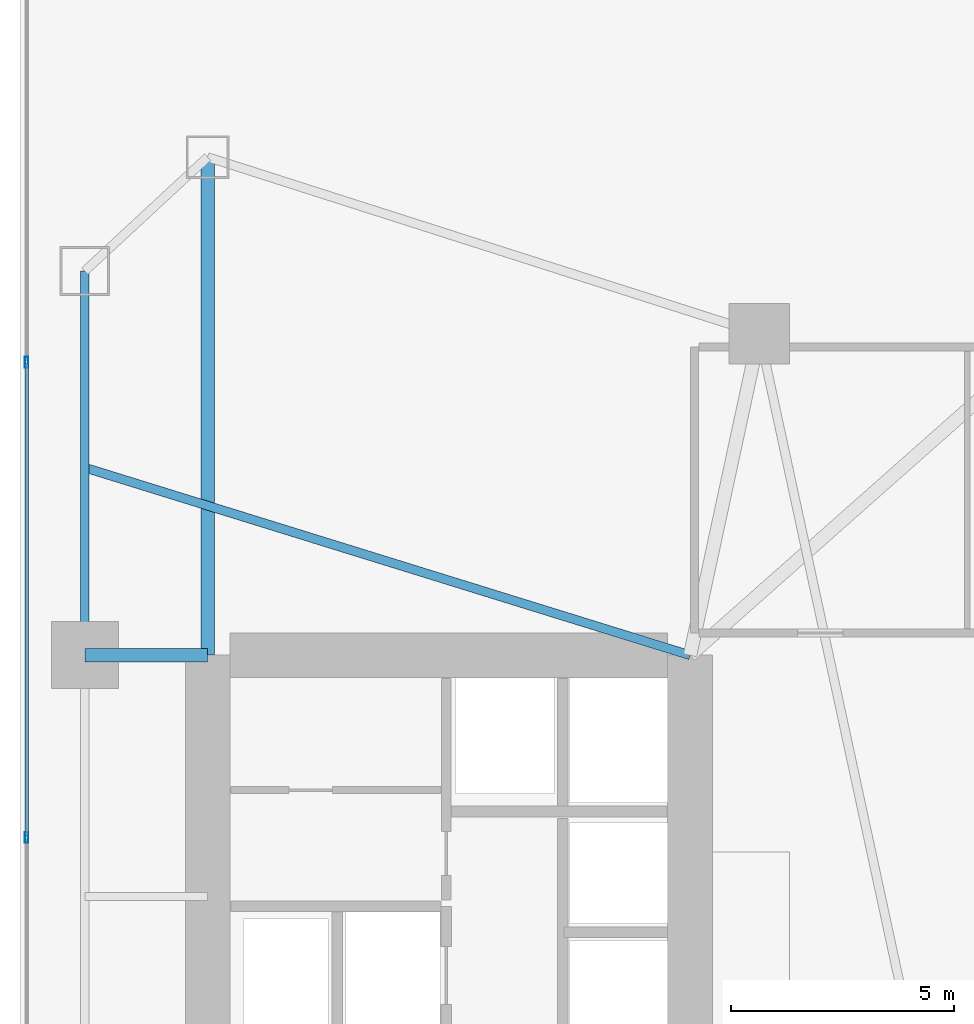
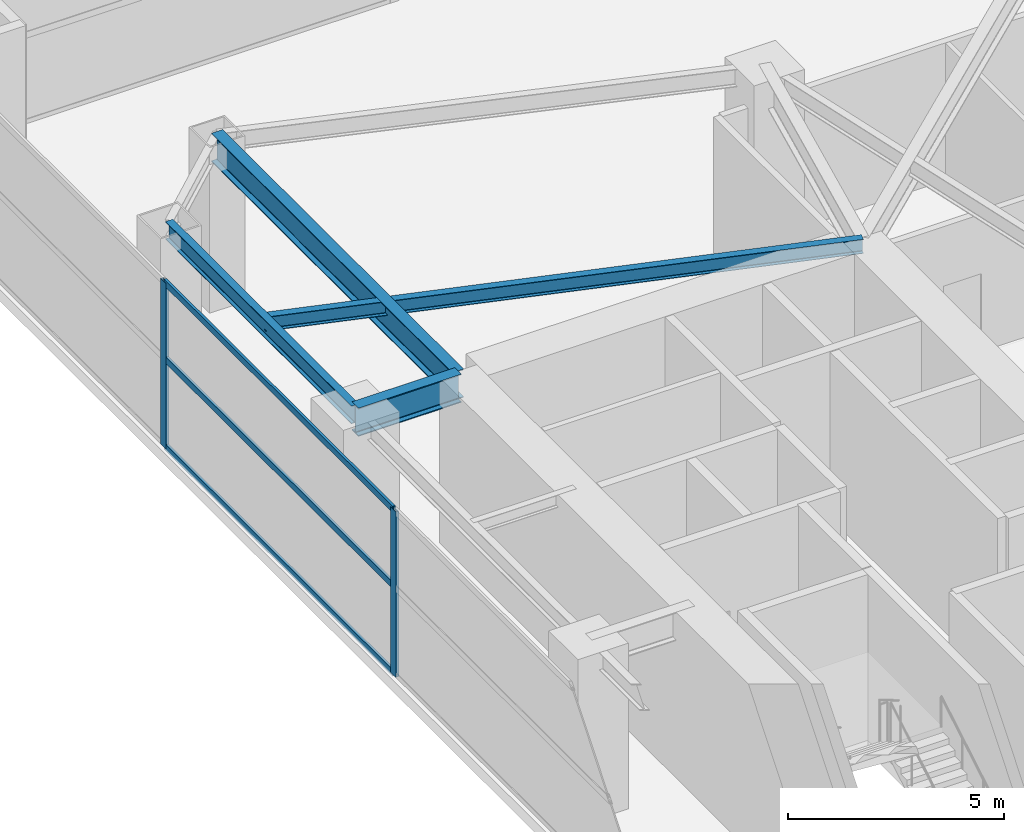
# One storey, part 14 of 35: 5 members, 4 beams, 1 element without a shape of its own.
"""IFC4 building model written with IfcOpenShell, lengths in metres."""

import ifcopenshell
import ifcopenshell.guid

model = None  # the IFC model being written
_history = None  # IfcOwnerHistory: only IFC2X3 demands one
_inside = {}  # id of a spatial element -> (the spatial element, [elements in it])
_under = {}  # id of a project, library or spatial element -> (it, [spatial elements below it])
_declared = {}  # id of a project -> (the project, [libraries it declares])
_typed = {}  # id of a type object -> (the type object, [elements of that type])
_made_of = {}  # id of a material, layer set ... -> (it, [elements and type objects made of it])


def new_model(schema):
    """Start an empty IFC model of exactly this schema.

    Asked for "IFC4X3", IfcOpenShell would pick the latest addendum, in which some entities
    have other attributes; the version numbers below select the first issue.
    IFC2X3 requires an IfcOwnerHistory on every rooted entity: one is made here for all.
    """
    global model, _history
    if schema == "IFC4X3":
        model = ifcopenshell.file(schema_version=(4, 3, 0, 0))
    else:
        model = ifcopenshell.file(schema=schema)
    _inside.clear()
    _under.clear()
    _declared.clear()
    _typed.clear()
    _made_of.clear()
    _history = None
    if model.schema == "IFC2X3":
        org = make("IfcOrganization", Name="unknown")
        user = make(
            "IfcPersonAndOrganization",
            ThePerson=make("IfcPerson", FamilyName="unknown"),
            TheOrganization=org,
        )
        app = make(
            "IfcApplication",
            ApplicationDeveloper=org,
            Version="unknown",
            ApplicationFullName="unknown",
            ApplicationIdentifier="unknown",
        )
        _history = make(
            "IfcOwnerHistory",
            OwningUser=user,
            OwningApplication=app,
            ChangeAction="ADDED",
            CreationDate=0,
        )
    return model


def make(cls, **values):
    """One entity of the class cls with the attributes given. An attribute that is None is left unset."""
    return model.create_entity(
        cls, **{name: value for name, value in values.items() if value is not None}
    )


def rooted(cls, **values):
    """An entity with a GlobalId (a new one), such as an element, a storey or a relation."""
    return make(cls, GlobalId=ifcopenshell.guid.new(), OwnerHistory=_history, **values)


def si_unit(unit_type, name, prefix=None):
    """IfcSIUnit, for example si_unit("LENGTHUNIT", "METRE", prefix="MILLI")."""
    return make("IfcSIUnit", UnitType=unit_type, Prefix=prefix, Name=name)


def assignment(units):
    """IfcUnitAssignment: the units of a project."""
    return None if units is None else make("IfcUnitAssignment", Units=units)


def point(xyz):
    """IfcCartesianPoint."""
    return None if xyz is None else make("IfcCartesianPoint", Coordinates=xyz)


def direction(xyz):
    """IfcDirection."""
    return None if xyz is None else make("IfcDirection", DirectionRatios=xyz)


def frame(location, z_axis=None, x_axis=None):
    """IfcAxis2Placement3D, a coordinate frame: its origin and axes. An axis left out is left unset."""
    return make(
        "IfcAxis2Placement3D",
        Location=point(location),
        Axis=direction(z_axis),
        RefDirection=direction(x_axis),
    )


def frame_2d(location, x_axis=None):
    """IfcAxis2Placement2D, a coordinate frame in the plane: its origin and x axis."""
    return make(
        "IfcAxis2Placement2D", Location=point(location), RefDirection=direction(x_axis)
    )


def origin():
    """The frame at (0, 0, 0) with its axes left unset."""
    return frame((0.0, 0.0, 0.0))


def origin_2d():
    """The frame at (0, 0) in the plane with its x axis left unset."""
    return frame_2d((0.0, 0.0))


def place(relative_to, where):
    """IfcLocalPlacement: puts the frame where relative to a parent placement (None: the world)."""
    return make(
        "IfcLocalPlacement", PlacementRelTo=relative_to, RelativePlacement=where
    )


def context(
    kind, dimensions, precision=None, world=None, true_north=None, identifier=None
):
    """IfcGeometricRepresentationContext, for example the 3D "Model" context."""
    return make(
        "IfcGeometricRepresentationContext",
        ContextIdentifier=identifier,
        ContextType=kind,
        CoordinateSpaceDimension=dimensions,
        Precision=precision,
        WorldCoordinateSystem=world,
        TrueNorth=true_north,
    )


def subcontext(parent, identifier, kind, view, scale=None):
    """IfcGeometricRepresentationSubContext, for example "Body" below "Model"."""
    return make(
        "IfcGeometricRepresentationSubContext",
        ContextIdentifier=identifier,
        ContextType=kind,
        ParentContext=parent,
        TargetScale=scale,
        TargetView=view,
    )


def project(units=None, contexts=None):
    """IfcProject with its units and contexts."""
    return rooted(
        "IfcProject",
        Name="project",
        RepresentationContexts=contexts,
        UnitsInContext=assignment(units),
    )


def spatial(cls, under=None, at=None, **own):
    """A site, building, storey or space (cls), placed at a placement, below another one or the project."""
    s = rooted(cls, ObjectPlacement=at, **own)
    if under is not None:
        _under.setdefault(under.id(), (under, []))[1].append(s)
    return s


def profile(cls, at=None, kind="AREA", **sizes):
    """A parametric profile (cls). Its sizes go by their IFC names, for example OverallWidth=200.0."""
    return make(cls, ProfileType=kind, Position=at, **sizes)


def hollow_rectangle(**sizes):
    """IfcRectangleHollowProfileDef."""
    return profile("IfcRectangleHollowProfileDef", **sizes)


def i_section(**sizes):
    """IfcIShapeProfileDef."""
    return profile("IfcIShapeProfileDef", **sizes)


def extrude(swept, where, along, depth):
    """IfcExtrudedAreaSolid: the profile swept, set in the frame where, extruded along a direction by depth."""
    return make(
        "IfcExtrudedAreaSolid",
        SweptArea=swept,
        Position=where,
        ExtrudedDirection=direction(along),
        Depth=depth,
    )


def shape(context_of_items, identifier, shape_type, items):
    """IfcShapeRepresentation: the items that make up one representation, for example the "Body"."""
    return make(
        "IfcShapeRepresentation",
        ContextOfItems=context_of_items,
        RepresentationIdentifier=identifier,
        RepresentationType=shape_type,
        Items=items,
    )


def material(Name=None, Category=None):
    """IfcMaterial."""
    return make("IfcMaterial", Name=Name, Category=Category)


def layer(
    of_material, thickness, ventilated=None, Name=None, Category=None, Priority=None
):
    """IfcMaterialLayer: one layer of a wall or slab, of a material (None: an air gap)."""
    return make(
        "IfcMaterialLayer",
        Material=of_material,
        LayerThickness=thickness,
        IsVentilated=ventilated,
        Name=Name,
        Category=Category,
        Priority=Priority,
    )


def layer_set(layers, Name=None):
    """IfcMaterialLayerSet."""
    return make("IfcMaterialLayerSet", MaterialLayers=layers, LayerSetName=Name)


def material_profile(
    of_material, cross_section, Name=None, Category=None, Priority=None
):
    """IfcMaterialProfile: a cross section and its material."""
    return make(
        "IfcMaterialProfile",
        Name=Name,
        Material=of_material,
        Profile=cross_section,
        Priority=Priority,
        Category=Category,
    )


def profile_set(profiles, Name=None, composite=None):
    """IfcMaterialProfileSet."""
    return make(
        "IfcMaterialProfileSet",
        Name=Name,
        MaterialProfiles=profiles,
        CompositeProfile=composite,
    )


def made_of(thing, what):
    """Note that an element or type object is made of a material, layer set ...; save() writes the relation."""
    if what is not None:
        _made_of.setdefault(what.id(), (what, []))[1].append(thing)
    return thing


def type_object(cls, material=None, **own):
    """A type object (cls), such as IfcWallType, which elements share."""
    return made_of(rooted(cls, **own), material)


def element(
    cls,
    number,
    at=None,
    inside=None,
    cuts=None,
    type_object=None,
    material=None,
    context=None,
    identifier="Body",
    shape_type=None,
    held_by="IfcProductDefinitionShape",
    body=None,
    shapes=None,
    **own,
):
    """One element of the class cls, such as IfcWall. Its Tag is "e" and its number.

    at: its placement. inside: the storey or other place that contains it. cuts: it is an
    opening in that element (IfcRelVoidsElement). A single representation is given by context,
    identifier, shape_type and body (its items); several are given by shapes. held_by: the class
    of the entity that holds the representations. save() writes the other relations.
    """
    e = rooted(cls, Tag="e%d" % number, ObjectPlacement=at, **own)
    if body is not None:
        shapes = [shape(context, identifier, shape_type, body)]
    if shapes is not None:
        e.Representation = make(held_by, Representations=shapes)
    if inside is not None:
        _inside.setdefault(inside.id(), (inside, []))[1].append(e)
    if cuts is not None:
        rooted(
            "IfcRelVoidsElement", RelatingBuildingElement=cuts, RelatedOpeningElement=e
        )
    if type_object is not None:
        _typed.setdefault(type_object.id(), (type_object, []))[1].append(e)
    return made_of(e, material)


def aggregate(whole, parts):
    """IfcRelAggregates: a whole, such as a stair, and the parts it consists of."""
    return rooted("IfcRelAggregates", RelatingObject=whole, RelatedObjects=parts)


def save(model, path):
    """Write the relations noted so far, then the file.

    IfcRelAggregates (storeys below a building ...), IfcRelContainedInSpatialStructure (elements
    in a storey), IfcRelDefinesByType, IfcRelAssociatesMaterial and IfcRelDeclares: one each for
    every whole, place, type object, material and project.
    """
    for whole, parts in _under.values():
        aggregate(whole, parts)
    for where, things in _inside.values():
        rooted(
            "IfcRelContainedInSpatialStructure",
            RelatedElements=things,
            RelatingStructure=where,
        )
    for kind, things in _typed.values():
        rooted("IfcRelDefinesByType", RelatedObjects=things, RelatingType=kind)
    for what, things in _made_of.values():
        rooted("IfcRelAssociatesMaterial", RelatedObjects=things, RelatingMaterial=what)
    for by, libraries in _declared.values():
        rooted("IfcRelDeclares", RelatingContext=by, RelatedDefinitions=libraries)
    model.write(path)


model = new_model("IFC4")

# Units and contexts
model_context = context("Model", 3, precision=1e-05, world=origin(), true_north=direction((0.0, 1.0)))
body_context = subcontext(model_context, "Body", "Model", "MODEL_VIEW")
ifc_project = project(units=[si_unit("LENGTHUNIT", "METRE"), si_unit("AREAUNIT", "SQUARE_METRE"), si_unit("VOLUMEUNIT", "CUBIC_METRE"), si_unit("PLANEANGLEUNIT", "RADIAN"), si_unit("MASSUNIT", "GRAM", prefix="KILO")], contexts=[model_context])

# Site, building, storey
site_placement = place(None, origin())
site = spatial("IfcSite", under=ifc_project, at=site_placement, CompositionType="ELEMENT")
building_placement = place(site_placement, origin())
building = spatial("IfcBuilding", under=site, at=building_placement, Name="Calvorn Quay Hotel", CompositionType="ELEMENT")
storey_placement = place(building_placement, frame((0.0, 0.0, 12.0)))
storey = spatial("IfcBuildingStorey", under=building, at=storey_placement, Name="L02", CompositionType="ELEMENT", Elevation=12.0)

# Beams
ifc_material_1 = material(Name="Steel Q390GJC", Category="steel")
ifc_material_profile_1 = material_profile(ifc_material_1, i_section(OverallWidth=0.300048828125, OverallDepth=0.800048828125, WebThickness=0.013916015625, FlangeThickness=0.02587890625, FilletRadius=0.02392578125, at=origin_2d()), Name="HN800x300x14x26")
ifc_profile_set_1 = profile_set([ifc_material_profile_1], Name="Steel Q390GJC")
beam_type_1 = type_object("IfcBeamType", Name="BM-GIRD-POD", PredefinedType="BEAM", material=ifc_profile_set_1)
beam_1_placement = place(storey_placement, frame((1.449951171875, 38.39990234375, 4.280029296875), z_axis=(1.0, 0.0, 0.0), x_axis=(0.0, 1.0, 0.0)))
element("IfcBeam", 1, at=beam_1_placement, inside=storey, type_object=beam_type_1, Name="Beam BG-L02-W3", PredefinedType="BEAM", context=body_context, shape_type="SweptSolid", body=[
    extrude(i_section(OverallWidth=0.300048828125, OverallDepth=0.800048828125, WebThickness=0.013916015625, FlangeThickness=0.02587890625, FilletRadius=0.02392578125, at=origin_2d()), origin(), (0.0, 0.0, 1.0), 2.75),
])
beam_2_placement = place(storey_placement, frame((4.199951171875, 49.550048828125, 4.280029296875), z_axis=(0.0, -1.0, 0.0), x_axis=(1.0, 0.0, 0.0)))
element("IfcBeam", 2, at=beam_2_placement, inside=storey, type_object=beam_type_1, Name="Beam BG-L02-W5", PredefinedType="BEAM", context=body_context, shape_type="SweptSolid", body=[
    extrude(i_section(OverallWidth=0.300048828125, OverallDepth=0.800048828125, WebThickness=0.013916015625, FlangeThickness=0.02587890625, FilletRadius=0.02392578125, at=origin_2d()), origin(), (0.0, 0.0, 1.0), 11.150146484375),
])
ifc_material_2 = material(Name="Steel Q355B", Category="steel")
ifc_material_profile_2 = material_profile(ifc_material_2, i_section(OverallWidth=0.199951171875, OverallDepth=0.39990234375, WebThickness=0.008056640625, FlangeThickness=0.012939453125, FilletRadius=0.01611328125, at=origin_2d()), Name="HN400x200x8x13")
ifc_profile_set_2 = profile_set([ifc_material_profile_2], Name="Steel Q355B")
beam_type_2 = type_object("IfcBeamType", Name="BM-JOIST-TYP", PredefinedType="JOIST", material=ifc_profile_set_2)
beam_3_placement = place(storey_placement, frame((1.449951171875, 42.60009765625, 4.47998046875), z_axis=(0.955163702122, -0.296078202759, 0.0), x_axis=(0.296078202759, 0.955163702122, 0.0)))
element("IfcBeam", 3, at=beam_3_placement, inside=storey, type_object=beam_type_2, Name="Beam BJ-L02-W2", PredefinedType="JOIST", context=body_context, shape_type="SweptSolid", body=[
    extrude(i_section(OverallWidth=0.199951171875, OverallDepth=0.39990234375, WebThickness=0.008056640625, FlangeThickness=0.012939453125, FilletRadius=0.01611328125, at=origin_2d()), origin(), (0.0, 0.0, 1.0), 14.18603515625),
])
ifc_material_3 = material(Name="Steel Q355B", Category="steel")
ifc_material_profile_3 = material_profile(ifc_material_3, i_section(OverallWidth=0.199951171875, OverallDepth=0.5, WebThickness=0.010009765625, FlangeThickness=0.01611328125, FilletRadius=0.01611328125, at=origin_2d()), Name="HN500x200x10x16")
ifc_profile_set_3 = profile_set([ifc_material_profile_3], Name="Steel Q355B")
beam_type_3 = type_object("IfcBeamType", Name="BM-SPANDREL-Z1", PredefinedType="SPANDREL", material=ifc_profile_set_3)
beam_4_placement = place(storey_placement, frame((1.449951171875, 38.39990234375, 4.429931640625), z_axis=(0.0, 1.0, 0.0), x_axis=(-1.0, 0.0, 0.0)))
element("IfcBeam", 4, at=beam_4_placement, inside=storey, type_object=beam_type_3, Name="Beam BSP-L02-W4", PredefinedType="SPANDREL", context=body_context, shape_type="SweptSolid", body=[
    extrude(i_section(OverallWidth=0.199951171875, OverallDepth=0.5, WebThickness=0.010009765625, FlangeThickness=0.01611328125, FilletRadius=0.01611328125, at=origin_2d()), origin(), (0.0, 0.0, 1.0), 8.60009765625),
])

# Curtain wall, members
ifc_material_4 = material(Name="Pale Anodised Aluminium and Low-E Glass", Category="aluminium")
ifc_layer = layer(ifc_material_4, 0.219970703125)
ifc_layer_set = layer_set([ifc_layer], Name="CW-SYS-POD")
curtain_wall_type = type_object("IfcCurtainWallType", Name="CW-SYS-POD", PredefinedType="NOTDEFINED", material=ifc_layer_set)
curtain_wall_placement = place(storey_placement, origin())
curtain_wall = element("IfcCurtainWall", 5, at=curtain_wall_placement, inside=storey, type_object=curtain_wall_type, Name="Podium Curtain Wall L02-W1", PredefinedType="NOTDEFINED")
ifc_material_5 = material(Name="Pale Anodised Aluminium 6063-T6", Category="aluminium")
ifc_material_profile_4 = material_profile(ifc_material_5, hollow_rectangle(XDim=0.080078125, YDim=0.239990234375, WallThickness=0.0048828125, at=origin_2d()), Name="ALU-M240x80x5")
ifc_profile_set_4 = profile_set([ifc_material_profile_4], Name="Pale Anodised Aluminium 6063-T6")
member_type_1 = type_object("IfcMemberType", Name="CW-SYS-POD-MUL", PredefinedType="MULLION", material=ifc_profile_set_4)
member_1_placement = place(storey_placement, frame((0.14990234375, 34.320068359375, 0.0), z_axis=(0.0, 0.0, 1.0), x_axis=(-1.0, 0.0, 0.0)))
member_1 = element("IfcMember", 6, at=member_1_placement, type_object=member_type_1, Name="CW-L02-W1 mullion 4", PredefinedType="MULLION", context=body_context, shape_type="SweptSolid", body=[
    extrude(hollow_rectangle(XDim=0.080078125, YDim=0.239990234375, WallThickness=0.0048828125, at=origin_2d()), origin(), (0.0, 0.0, 1.0), 4.679931640625),
])
member_2_placement = place(storey_placement, frame((0.14990234375, 44.9599609375, 0.0), z_axis=(0.0, 0.0, 1.0), x_axis=(-1.0, 0.0, 0.0)))
member_2 = element("IfcMember", 7, at=member_2_placement, type_object=member_type_1, Name="CW-L02-W1 mullion 5", PredefinedType="MULLION", context=body_context, shape_type="SweptSolid", body=[
    extrude(hollow_rectangle(XDim=0.080078125, YDim=0.239990234375, WallThickness=0.0048828125, at=origin_2d()), origin(), (0.0, 0.0, 1.0), 4.679931640625),
])
ifc_material_6 = material(Name="Pale Anodised Aluminium 6063-T6", Category="aluminium")
ifc_material_profile_5 = material_profile(ifc_material_6, hollow_rectangle(XDim=0.070068359375, YDim=0.179931640625, WallThickness=0.00390625, at=origin_2d()), Name="ALU-T180x70x4")
ifc_profile_set_5 = profile_set([ifc_material_profile_5], Name="Pale Anodised Aluminium 6063-T6")
member_type_2 = type_object("IfcMemberType", Name="CW-SYS-POD-TRN", PredefinedType="USERDEFINED", material=ifc_profile_set_5)
member_3_placement = place(storey_placement, frame((0.14990234375, 34.35009765625, 0.030029296875), z_axis=(0.0, 1.0, 0.0), x_axis=(-1.0, 0.0, 0.0)))
member_3 = element("IfcMember", 8, at=member_3_placement, type_object=member_type_2, Name="CW-L02-W1 transom 4.1", ObjectType="TRANSOM", PredefinedType="USERDEFINED", context=body_context, shape_type="SweptSolid", body=[
    extrude(hollow_rectangle(XDim=0.070068359375, YDim=0.179931640625, WallThickness=0.00390625, at=origin_2d()), origin(), (0.0, 0.0, 1.0), 10.579833984375),
])
member_4_placement = place(storey_placement, frame((0.14990234375, 34.35009765625, 2.5), z_axis=(0.0, 1.0, 0.0), x_axis=(-1.0, 0.0, 0.0)))
member_4 = element("IfcMember", 9, at=member_4_placement, type_object=member_type_2, Name="CW-L02-W1 transom 4.2", ObjectType="TRANSOM", PredefinedType="USERDEFINED", context=body_context, shape_type="SweptSolid", body=[
    extrude(hollow_rectangle(XDim=0.070068359375, YDim=0.179931640625, WallThickness=0.00390625, at=origin_2d()), origin(), (0.0, 0.0, 1.0), 10.579833984375),
])
member_5_placement = place(storey_placement, frame((0.14990234375, 34.35009765625, 4.64990234375), z_axis=(0.0, 1.0, 0.0), x_axis=(-1.0, 0.0, 0.0)))
member_5 = element("IfcMember", 10, at=member_5_placement, type_object=member_type_2, Name="CW-L02-W1 transom 4.3", ObjectType="TRANSOM", PredefinedType="USERDEFINED", context=body_context, shape_type="SweptSolid", body=[
    extrude(hollow_rectangle(XDim=0.070068359375, YDim=0.179931640625, WallThickness=0.00390625, at=origin_2d()), origin(), (0.0, 0.0, 1.0), 10.579833984375),
])
aggregate(curtain_wall, [member_1, member_2, member_3, member_4, member_5])

save(model, "model.ifc")
